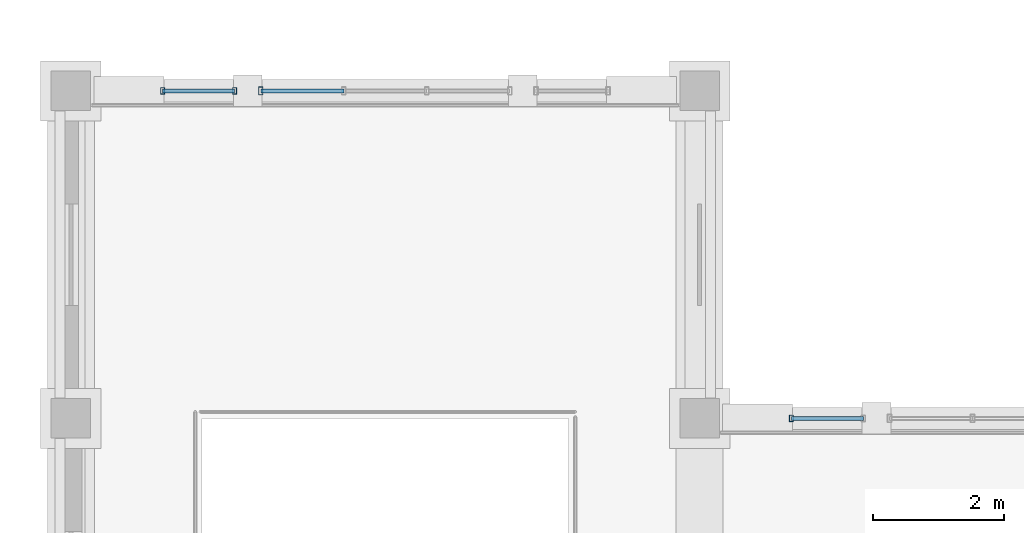
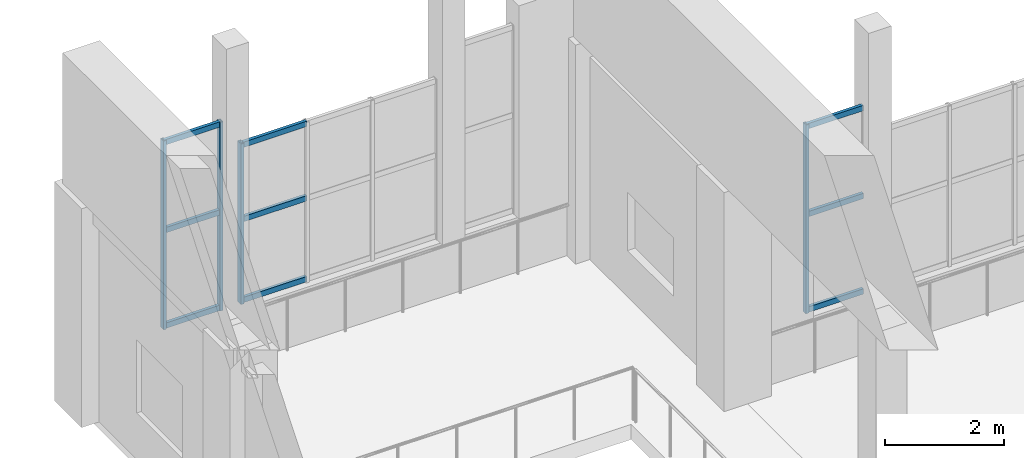
# One storey, part 5 of 46: 13 members, 3 elements without a shape of their own.
"""IFC4 building model written with IfcOpenShell, lengths in metres."""

from ifc_helpers import new_model, si_unit, direction, frame, origin, origin_2d, place, context, subcontext, project, spatial, hollow_rectangle, extrude, material, material_profile, profile_set, type_object, element, aggregate, save


model = new_model("IFC4")

# Units and contexts
model_context = context("Model", 3, precision=1e-05, world=origin(), true_north=direction((0.0, 1.0)))
body_context = subcontext(model_context, "Body", "Model", "MODEL_VIEW")
ifc_project = project(units=[si_unit("LENGTHUNIT", "METRE"), si_unit("AREAUNIT", "SQUARE_METRE"), si_unit("VOLUMEUNIT", "CUBIC_METRE"), si_unit("PLANEANGLEUNIT", "RADIAN"), si_unit("MASSUNIT", "GRAM", prefix="KILO")], contexts=[model_context])

# Site, building, storey
site_placement = place(None, origin())
site = spatial("IfcSite", under=ifc_project, at=site_placement, CompositionType="ELEMENT")
building_placement = place(site_placement, origin())
building = spatial("IfcBuilding", under=site, at=building_placement, Name="Mavantir Sound Aquarium", CompositionType="ELEMENT")
storey_placement = place(building_placement, frame((0.0, 0.0, 15.300048828125)))
storey = spatial("IfcBuildingStorey", under=building, at=storey_placement, Name="L03", CompositionType="ELEMENT", Elevation=15.300048828125)

# Curtain wall, members
ifc_material_1 = material(Name="Anodised Marine Aluminium and Low-E Glass", Category="aluminium")
curtain_wall_type_1 = type_object("IfcCurtainWallType", Name="CW-T02", PredefinedType="USERDEFINED", material=ifc_material_1)
curtain_wall_1_placement = place(storey_placement, origin())
curtain_wall_1 = element("IfcCurtainWall", 1, at=curtain_wall_1_placement, inside=storey, type_object=curtain_wall_type_1, Name="L03 unitised curtain wall CW-02 145", ObjectType="UNITISED GLAZING", PredefinedType="USERDEFINED")
ifc_material_2 = material(Name="Anodised Marine Aluminium 6063-T6", Category="aluminium")
ifc_material_profile_1 = material_profile(ifc_material_2, hollow_rectangle(XDim=0.06005859375, YDim=0.10009765625, WallThickness=0.00390625, at=origin_2d()), Name="ALU-MULLION-100X60")
ifc_profile_set_1 = profile_set([ifc_material_profile_1], Name="Anodised Marine Aluminium 6063-T6")
member_type_1 = type_object("IfcMemberType", Name="CW-MUL-100", PredefinedType="MULLION", material=ifc_profile_set_1)
member_1_placement = place(storey_placement, frame((109.39990234375, 90.800048828125, 1.119873046875), z_axis=(0.0, 0.0, 1.0), x_axis=(1.0, 0.0, 0.0)))
member_1 = element("IfcMember", 2, at=member_1_placement, type_object=member_type_1, Name="CW-DIOC-1N-L vertical mullion 1", PredefinedType="MULLION", context=body_context, shape_type="SweptSolid", body=[
    extrude(hollow_rectangle(XDim=0.06005859375, YDim=0.10009765625, WallThickness=0.00390625, at=origin_2d()), origin(), (0.0, 0.0, 1.0), 3.880126953125),
])
member_2_placement = place(storey_placement, frame((110.5, 90.800048828125, 1.119873046875), z_axis=(0.0, 0.0, 1.0), x_axis=(1.0, 0.0, 0.0)))
member_2 = element("IfcMember", 3, at=member_2_placement, type_object=member_type_1, Name="CW-DIOC-1N-L vertical mullion 2", PredefinedType="MULLION", context=body_context, shape_type="SweptSolid", body=[
    extrude(hollow_rectangle(XDim=0.06005859375, YDim=0.10009765625, WallThickness=0.00390625, at=origin_2d()), origin(), (0.0, 0.0, 1.0), 3.880126953125),
])

# Curtain wall, member
curtain_wall_type_2 = type_object("IfcCurtainWallType", Name="CW-T08", PredefinedType="USERDEFINED", material=ifc_material_1)
curtain_wall_2_placement = place(storey_placement, origin())
curtain_wall_2 = element("IfcCurtainWall", 4, at=curtain_wall_2_placement, inside=storey, type_object=curtain_wall_type_2, Name="L03 unitised curtain wall CW-08 151", ObjectType="UNITISED GLAZING", PredefinedType="USERDEFINED")
member_3_placement = place(storey_placement, frame((119.0, 85.800048828125, 1.119873046875), z_axis=(0.0, 0.0, 1.0), x_axis=(1.0, 0.0, 0.0)))
member_3 = element("IfcMember", 5, at=member_3_placement, type_object=member_type_1, Name="CW-DIOC-2N-L vertical mullion 1", PredefinedType="MULLION", context=body_context, shape_type="SweptSolid", body=[
    extrude(hollow_rectangle(XDim=0.06005859375, YDim=0.10009765625, WallThickness=0.00390625, at=origin_2d()), origin(), (0.0, 0.0, 1.0), 3.880126953125),
])

# Curtain wall, members
curtain_wall_type_3 = type_object("IfcCurtainWallType", Name="CW-T01", PredefinedType="USERDEFINED", material=ifc_material_1)
curtain_wall_3_placement = place(storey_placement, origin())
curtain_wall_3 = element("IfcCurtainWall", 6, at=curtain_wall_3_placement, inside=storey, type_object=curtain_wall_type_3, Name="L03 unitised curtain wall CW-01 144", ObjectType="UNITISED GLAZING", PredefinedType="USERDEFINED")
ifc_material_profile_2 = material_profile(ifc_material_2, hollow_rectangle(XDim=0.06494140625, YDim=0.1201171875, WallThickness=0.00390625, at=origin_2d()), Name="ALU-MULLION-120X65")
ifc_profile_set_2 = profile_set([ifc_material_profile_2], Name="Anodised Marine Aluminium 6063-T6")
member_type_2 = type_object("IfcMemberType", Name="CW-MUL-120", PredefinedType="MULLION", material=ifc_profile_set_2)
member_4_placement = place(storey_placement, frame((110.89990234375, 90.800048828125, 1.119873046875), z_axis=(0.0, 0.0, 1.0), x_axis=(1.0, 0.0, 0.0)))
member_4 = element("IfcMember", 7, at=member_4_placement, type_object=member_type_2, Name="CW-DIOC-1N-C vertical mullion 1", PredefinedType="MULLION", context=body_context, shape_type="SweptSolid", body=[
    extrude(hollow_rectangle(XDim=0.06494140625, YDim=0.1201171875, WallThickness=0.00390625, at=origin_2d()), origin(), (0.0, 0.0, 1.0), 3.300048828125),
])
ifc_material_profile_3 = material_profile(ifc_material_2, hollow_rectangle(XDim=0.06005859375, YDim=0.110107421875, WallThickness=0.00390625, at=origin_2d()), Name="ALU-TRANSOM-110X60")
ifc_profile_set_3 = profile_set([ifc_material_profile_3], Name="Anodised Marine Aluminium 6063-T6")
member_type_3 = type_object("IfcMemberType", Name="CW-TRN-110", PredefinedType="USERDEFINED", material=ifc_profile_set_3)
member_5_placement = place(storey_placement, frame((110.89990234375, 90.800048828125, 1.175048828125), z_axis=(1.0, 0.0, 0.0), x_axis=(0.0, 1.0, 0.0)))
member_5 = element("IfcMember", 8, at=member_5_placement, type_object=member_type_3, Name="CW-DIOC-1N-C transom 1.1", ObjectType="TRANSOM", PredefinedType="USERDEFINED", context=body_context, shape_type="SweptSolid", body=[
    extrude(hollow_rectangle(XDim=0.06005859375, YDim=0.110107421875, WallThickness=0.00390625, at=origin_2d()), origin(), (0.0, 0.0, 1.0), 1.266845703125),
])
member_6_placement = place(storey_placement, frame((110.89990234375, 90.800048828125, 2.8359375), z_axis=(1.0, 0.0, 0.0), x_axis=(0.0, 1.0, 0.0)))
member_6 = element("IfcMember", 9, at=member_6_placement, type_object=member_type_3, Name="CW-DIOC-1N-C transom 1.2", ObjectType="TRANSOM", PredefinedType="USERDEFINED", context=body_context, shape_type="SweptSolid", body=[
    extrude(hollow_rectangle(XDim=0.06005859375, YDim=0.110107421875, WallThickness=0.00390625, at=origin_2d()), origin(), (0.0, 0.0, 1.0), 1.266845703125),
])
member_7_placement = place(storey_placement, frame((110.89990234375, 90.800048828125, 4.364990234375), z_axis=(1.0, 0.0, 0.0), x_axis=(0.0, 1.0, 0.0)))
member_7 = element("IfcMember", 10, at=member_7_placement, type_object=member_type_3, Name="CW-DIOC-1N-C transom 1.3", ObjectType="TRANSOM", PredefinedType="USERDEFINED", context=body_context, shape_type="SweptSolid", body=[
    extrude(hollow_rectangle(XDim=0.06005859375, YDim=0.110107421875, WallThickness=0.00390625, at=origin_2d()), origin(), (0.0, 0.0, 1.0), 1.266845703125),
])
aggregate(curtain_wall_3, [member_4, member_5, member_6, member_7])

# Member
member_8_placement = place(storey_placement, frame((109.39990234375, 90.800048828125, 1.175048828125), z_axis=(1.0, 0.0, 0.0), x_axis=(0.0, 1.0, 0.0)))
member_8 = element("IfcMember", 11, at=member_8_placement, type_object=member_type_3, Name="CW-DIOC-1N-L transom 1.1", ObjectType="TRANSOM", PredefinedType="USERDEFINED", context=body_context, shape_type="SweptSolid", body=[
    extrude(hollow_rectangle(XDim=0.06005859375, YDim=0.110107421875, WallThickness=0.00390625, at=origin_2d()), origin(), (0.0, 0.0, 1.0), 1.10009765625),
])

member_9_placement = place(storey_placement, frame((109.39990234375, 90.800048828125, 3.137451171875), z_axis=(1.0, 0.0, 0.0), x_axis=(0.0, 1.0, 0.0)))
member_9 = element("IfcMember", 12, at=member_9_placement, type_object=member_type_3, Name="CW-DIOC-1N-L transom 1.2", ObjectType="TRANSOM", PredefinedType="USERDEFINED", context=body_context, shape_type="SweptSolid", body=[
    extrude(hollow_rectangle(XDim=0.06005859375, YDim=0.110107421875, WallThickness=0.00390625, at=origin_2d()), origin(), (0.0, 0.0, 1.0), 1.10009765625),
])

member_10_placement = place(storey_placement, frame((109.39990234375, 90.800048828125, 4.945068359375), z_axis=(1.0, 0.0, 0.0), x_axis=(0.0, 1.0, 0.0)))
member_10 = element("IfcMember", 13, at=member_10_placement, type_object=member_type_3, Name="CW-DIOC-1N-L transom 1.3", ObjectType="TRANSOM", PredefinedType="USERDEFINED", context=body_context, shape_type="SweptSolid", body=[
    extrude(hollow_rectangle(XDim=0.06005859375, YDim=0.110107421875, WallThickness=0.00390625, at=origin_2d()), origin(), (0.0, 0.0, 1.0), 1.10009765625),
])

aggregate(curtain_wall_1, [member_1, member_2, member_8, member_9, member_10])

member_11_placement = place(storey_placement, frame((119.0, 85.800048828125, 1.175048828125), z_axis=(1.0, 0.0, 0.0), x_axis=(0.0, 1.0, 0.0)))
member_11 = element("IfcMember", 14, at=member_11_placement, type_object=member_type_3, Name="CW-DIOC-2N-L transom 1.1", ObjectType="TRANSOM", PredefinedType="USERDEFINED", context=body_context, shape_type="SweptSolid", body=[
    extrude(hollow_rectangle(XDim=0.06005859375, YDim=0.110107421875, WallThickness=0.00390625, at=origin_2d()), origin(), (0.0, 0.0, 1.0), 1.10009765625),
])

member_12_placement = place(storey_placement, frame((119.0, 85.800048828125, 3.137451171875), z_axis=(1.0, 0.0, 0.0), x_axis=(0.0, 1.0, 0.0)))
member_12 = element("IfcMember", 15, at=member_12_placement, type_object=member_type_3, Name="CW-DIOC-2N-L transom 1.2", ObjectType="TRANSOM", PredefinedType="USERDEFINED", context=body_context, shape_type="SweptSolid", body=[
    extrude(hollow_rectangle(XDim=0.06005859375, YDim=0.110107421875, WallThickness=0.00390625, at=origin_2d()), origin(), (0.0, 0.0, 1.0), 1.10009765625),
])

member_13_placement = place(storey_placement, frame((119.0, 85.800048828125, 4.945068359375), z_axis=(1.0, 0.0, 0.0), x_axis=(0.0, 1.0, 0.0)))
member_13 = element("IfcMember", 16, at=member_13_placement, type_object=member_type_3, Name="CW-DIOC-2N-L transom 1.3", ObjectType="TRANSOM", PredefinedType="USERDEFINED", context=body_context, shape_type="SweptSolid", body=[
    extrude(hollow_rectangle(XDim=0.06005859375, YDim=0.110107421875, WallThickness=0.00390625, at=origin_2d()), origin(), (0.0, 0.0, 1.0), 1.10009765625),
])

aggregate(curtain_wall_2, [member_3, member_11, member_12, member_13])

save(model, "model.ifc")
